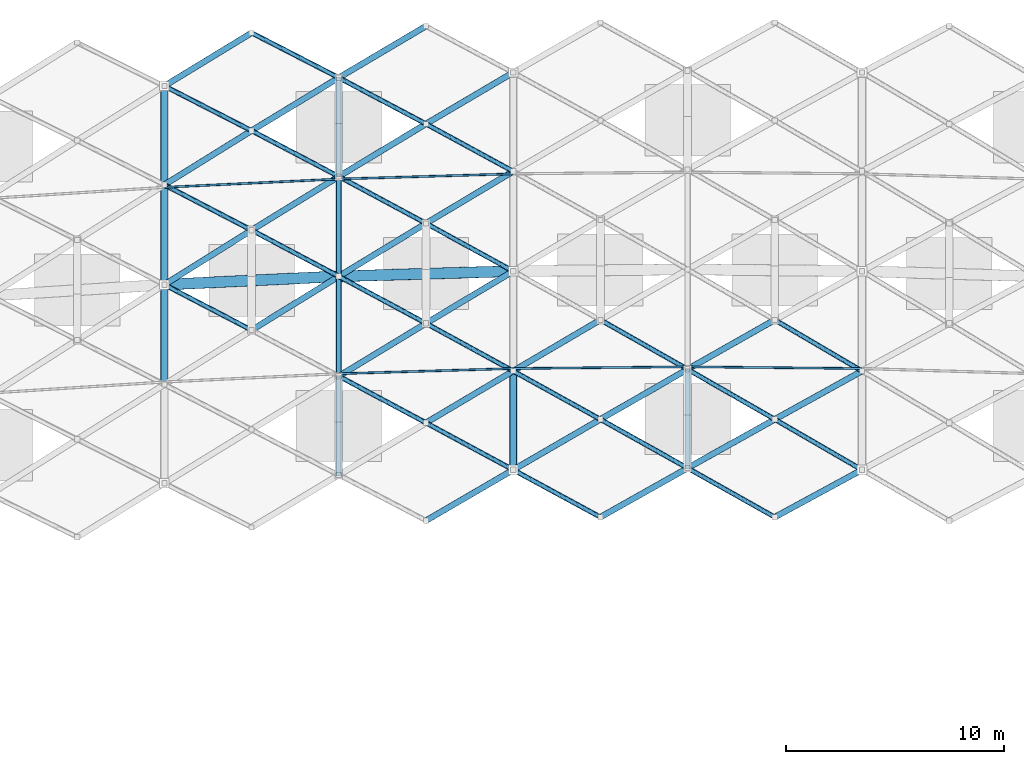
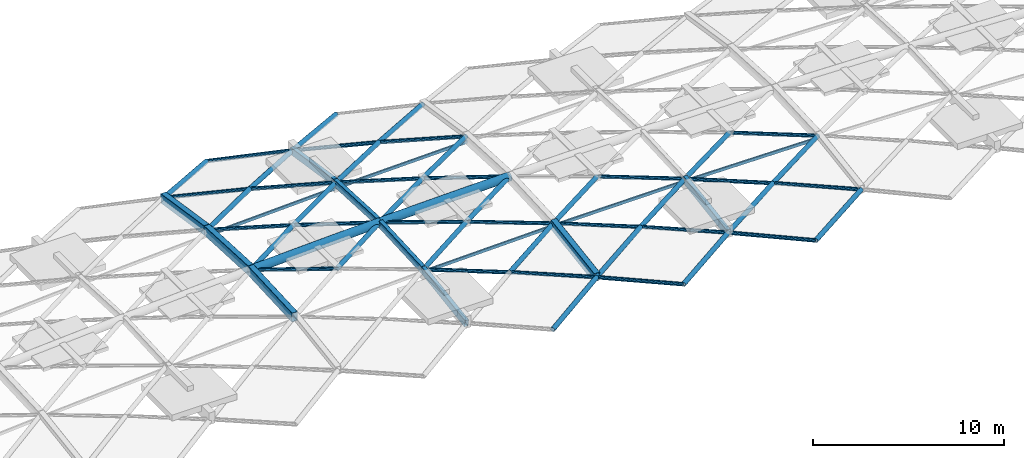
# One storey, part 4 of 27: 52 members, 9 beams.
"""IFC4 building model written with IfcOpenShell, lengths in metres."""

from ifc_helpers import new_model, si_unit, direction, frame, origin, origin_2d, place, context, subcontext, project, spatial, hollow_rectangle, hollow_circle, extrude, material, material_profile, profile_set, type_object, element, save


model = new_model("IFC4")

# Units and contexts
model_context = context("Model", 3, precision=1e-05, world=origin(), true_north=direction((0.0, 1.0)))
body_context = subcontext(model_context, "Body", "Model", "MODEL_VIEW")
ifc_project = project(units=[si_unit("LENGTHUNIT", "METRE"), si_unit("AREAUNIT", "SQUARE_METRE"), si_unit("VOLUMEUNIT", "CUBIC_METRE"), si_unit("PLANEANGLEUNIT", "RADIAN"), si_unit("MASSUNIT", "GRAM", prefix="KILO")], contexts=[model_context])

# Site, building, storey
site_placement = place(None, origin())
site = spatial("IfcSite", under=ifc_project, at=site_placement, CompositionType="ELEMENT")
building_placement = place(site_placement, origin())
building = spatial("IfcBuilding", under=site, at=building_placement, Name="Kenh Van Central Station", CompositionType="ELEMENT")
storey_placement = place(building_placement, frame((0.0, 0.0, 19.199951171875)))
storey = spatial("IfcBuildingStorey", under=building, at=storey_placement, Name="L04", CompositionType="ELEMENT", Elevation=19.199951171875)

# Beams
ifc_material = material(Name="White fluoropolymer structural steel S355", Category="steel")
ifc_material_profile_1 = material_profile(ifc_material, hollow_rectangle(XDim=0.35009765625, YDim=0.60009765625, WallThickness=0.01611328125, InnerFilletRadius=0.01611328125, OuterFilletRadius=0.031982421875, at=origin_2d()), Name="RHS 600x350x16")
ifc_profile_set_1 = profile_set([ifc_material_profile_1], Name="White fluoropolymer structural steel S355")
beam_type_1 = type_object("IfcBeamType", Name="BM-VAULT-ARCH600", PredefinedType="BEAM", material=ifc_profile_set_1)
beam_1_placement = place(storey_placement, frame((64.0, 85.921630859375, 1.7744140625), z_axis=(0.0, 0.998789366283, 0.049191480968), x_axis=(-1.0, 0.0, 0.0)))
element("IfcBeam", 1, at=beam_1_placement, inside=storey, type_object=beam_type_1, Name="Vault transverse arch 054", PredefinedType="BEAM", context=body_context, shape_type="SweptSolid", body=[
    extrude(hollow_rectangle(XDim=0.35009765625, YDim=0.60009765625, WallThickness=0.01611328125, InnerFilletRadius=0.01611328125, OuterFilletRadius=0.031982421875, at=origin_2d()), origin(), (0.0, 0.0, 1.0), 4.5859375),
])
beam_2_placement = place(storey_placement, frame((64.0, 90.501953125, 2.0), z_axis=(0.0, 0.998789237449, -0.04919409677), x_axis=(-1.0, 0.0, 0.0)))
element("IfcBeam", 2, at=beam_2_placement, inside=storey, type_object=beam_type_1, Name="Vault transverse arch 055", PredefinedType="BEAM", context=body_context, shape_type="SweptSolid", body=[
    extrude(hollow_rectangle(XDim=0.35009765625, YDim=0.60009765625, WallThickness=0.01611328125, InnerFilletRadius=0.01611328125, OuterFilletRadius=0.031982421875, at=origin_2d()), origin(), (0.0, 0.0, 1.0), 4.585693359375),
])
for number, where, z_axis, x_axis, name in (
    (3, (64.0, 95.08203125, 1.7744140625), (0.0, 0.988526901782, -0.151044908728), (-1.0, 0.0, 0.0), "Vault transverse arch 056"),
    (4, (80.0, 82.0068359375, 1.081787109375), (0.0, 0.988525687015, 0.15105285867), (-1.0, 0.0, 0.0), "Vault transverse arch 075"),
):
    element("IfcBeam", number, at=place(storey_placement, frame(where, z_axis=z_axis, x_axis=x_axis)), inside=storey, type_object=beam_type_1, Name=name, PredefinedType="BEAM", context=body_context, shape_type="SweptSolid", body=[
        extrude(hollow_rectangle(XDim=0.35009765625, YDim=0.60009765625, WallThickness=0.01611328125, InnerFilletRadius=0.01611328125, OuterFilletRadius=0.031982421875, at=origin_2d()), origin(), (0.0, 0.0, 1.0), 4.58544921875),
    ])
ifc_material_profile_2 = material_profile(ifc_material, hollow_rectangle(XDim=0.25, YDim=0.449951171875, WallThickness=0.012451171875, InnerFilletRadius=0.012451171875, OuterFilletRadius=0.02490234375, at=origin_2d()), Name="RHS 450x250x12.5")
ifc_profile_set_2 = profile_set([ifc_material_profile_2], Name="White fluoropolymer structural steel S355")
beam_type_2 = type_object("IfcBeamType", Name="BM-VAULT-SUB450", PredefinedType="BEAM", material=ifc_profile_set_2)
beam_3_placement = place(storey_placement, frame((72.0, 81.77001953125, 1.081787109375), z_axis=(0.0, 0.988526901782, 0.151044908728), x_axis=(-1.0, 0.0, 0.0)))
element("IfcBeam", 5, at=beam_3_placement, inside=storey, type_object=beam_type_2, Name="Vault transverse arch 064", PredefinedType="BEAM", context=body_context, shape_type="SweptSolid", body=[
    extrude(hollow_rectangle(XDim=0.25, YDim=0.449951171875, WallThickness=0.012451171875, InnerFilletRadius=0.012451171875, OuterFilletRadius=0.02490234375, at=origin_2d()), origin(), (0.0, 0.0, 1.0), 4.58544921875),
])
beam_4_placement = place(storey_placement, frame((72.0, 86.302978515625, 1.7744140625), z_axis=(0.0, 0.998789237449, 0.04919409677), x_axis=(-1.0, 0.0, 0.0)))
element("IfcBeam", 6, at=beam_4_placement, inside=storey, type_object=beam_type_2, Name="Vault transverse arch 065", PredefinedType="BEAM", context=body_context, shape_type="SweptSolid", body=[
    extrude(hollow_rectangle(XDim=0.25, YDim=0.449951171875, WallThickness=0.012451171875, InnerFilletRadius=0.012451171875, OuterFilletRadius=0.02490234375, at=origin_2d()), origin(), (0.0, 0.0, 1.0), 4.585693359375),
])
beam_5_placement = place(storey_placement, frame((72.0, 90.883056640625, 2.0), z_axis=(0.0, 0.998789366283, -0.049191480968), x_axis=(-1.0, 0.0, 0.0)))
element("IfcBeam", 7, at=beam_5_placement, inside=storey, type_object=beam_type_2, Name="Vault transverse arch 066", PredefinedType="BEAM", context=body_context, shape_type="SweptSolid", body=[
    extrude(hollow_rectangle(XDim=0.25, YDim=0.449951171875, WallThickness=0.012451171875, InnerFilletRadius=0.012451171875, OuterFilletRadius=0.02490234375, at=origin_2d()), origin(), (0.0, 0.0, 1.0), 4.5859375),
])
for number, where, z_axis, x_axis, name in (
    (8, (72.0, 95.46337890625, 1.7744140625), (0.0, 0.988525687015, -0.15105285867), (-1.0, 0.0, 0.0), "Vault transverse arch 067"),
    (9, (88.0, 82.0869140625, 1.081787109375), (0.0, 0.988526901782, 0.151044908728), (-1.0, 0.0, 0.0), "Vault transverse arch 086"),
):
    element("IfcBeam", number, at=place(storey_placement, frame(where, z_axis=z_axis, x_axis=x_axis)), inside=storey, type_object=beam_type_2, Name=name, PredefinedType="BEAM", context=body_context, shape_type="SweptSolid", body=[
        extrude(hollow_rectangle(XDim=0.25, YDim=0.449951171875, WallThickness=0.012451171875, InnerFilletRadius=0.012451171875, OuterFilletRadius=0.02490234375, at=origin_2d()), origin(), (0.0, 0.0, 1.0), 4.58544921875),
    ])

# Members
ifc_material_profile_3 = material_profile(ifc_material, hollow_rectangle(XDim=0.10009765625, YDim=0.199951171875, WallThickness=0.008056640625, InnerFilletRadius=0.008056640625, OuterFilletRadius=0.01611328125, at=origin_2d()), Name="RHS 200x100x8")
ifc_profile_set_3 = profile_set([ifc_material_profile_3], Name="White fluoropolymer structural steel S355")
member_type_1 = type_object("IfcMemberType", Name="MEM-PUR-RHS200", PredefinedType="PURLIN", material=ifc_profile_set_3)
member_1_placement = place(storey_placement, frame((72.0, 86.417724609375, 1.51904296875), z_axis=(0.999562147036, 0.029589089436, 0.0), x_axis=(-0.029589089436, 0.999562147036, 0.0)))
element("IfcMember", 10, at=member_1_placement, inside=storey, type_object=member_type_1, Name="Vault longitudinal purlin 020", PredefinedType="PURLIN", context=body_context, shape_type="SweptSolid", body=[
    extrude(hollow_rectangle(XDim=0.10009765625, YDim=0.199951171875, WallThickness=0.008056640625, InnerFilletRadius=0.008056640625, OuterFilletRadius=0.01611328125, at=origin_2d()), origin(), (0.0, 0.0, 1.0), 8.00341796875),
])
for number, where, z_axis, x_axis, name in (
    (11, (80.0, 86.654541015625, 1.51904296875), (0.99994990606, 0.010009264196, 0.0), (-0.010009264196, 0.99994990606, 0.0), "Vault longitudinal purlin 021"),
    (12, (88.0, 86.734619140625, 1.51904296875), (0.99994990606, -0.010009264196, 0.0), (0.010009264196, 0.99994990606, 0.0), "Vault longitudinal purlin 022"),
):
    element("IfcMember", number, at=place(storey_placement, frame(where, z_axis=z_axis, x_axis=x_axis)), inside=storey, type_object=member_type_1, Name=name, PredefinedType="PURLIN", context=body_context, shape_type="SweptSolid", body=[
        extrude(hollow_rectangle(XDim=0.10009765625, YDim=0.199951171875, WallThickness=0.008056640625, InnerFilletRadius=0.008056640625, OuterFilletRadius=0.01611328125, at=origin_2d()), origin(), (0.0, 0.0, 1.0), 8.00048828125),
    ])
member_2_placement = place(storey_placement, frame((64.0, 94.96728515625, 1.51904296875), z_axis=(0.998867240988, 0.047583977148, 0.0), x_axis=(-0.047583977148, 0.998867240988, 0.0)))
element("IfcMember", 13, at=member_2_placement, inside=storey, type_object=member_type_1, Name="Vault longitudinal purlin 033", PredefinedType="PURLIN", context=body_context, shape_type="SweptSolid", body=[
    extrude(hollow_rectangle(XDim=0.10009765625, YDim=0.199951171875, WallThickness=0.008056640625, InnerFilletRadius=0.008056640625, OuterFilletRadius=0.01611328125, at=origin_2d()), origin(), (0.0, 0.0, 1.0), 8.009033203125),
])
member_3_placement = place(storey_placement, frame((72.0, 95.348388671875, 1.51904296875), z_axis=(0.999562147036, 0.029589089436, 0.0), x_axis=(-0.029589089436, 0.999562147036, 0.0)))
element("IfcMember", 14, at=member_3_placement, inside=storey, type_object=member_type_1, Name="Vault longitudinal purlin 034", PredefinedType="PURLIN", context=body_context, shape_type="SweptSolid", body=[
    extrude(hollow_rectangle(XDim=0.10009765625, YDim=0.199951171875, WallThickness=0.008056640625, InnerFilletRadius=0.008056640625, OuterFilletRadius=0.01611328125, at=origin_2d()), origin(), (0.0, 0.0, 1.0), 8.00341796875),
])
ifc_material_profile_4 = material_profile(ifc_material, hollow_circle(Radius=0.109619140625, WallThickness=0.008056640625, at=origin_2d()), Name="CHS 219.1x8")
ifc_profile_set_4 = profile_set([ifc_material_profile_4], Name="White fluoropolymer structural steel S355")
member_type_2 = type_object("IfcMemberType", Name="MEM-VAULT-BRC219", PredefinedType="BRACE", material=ifc_profile_set_4)
member_4_placement = place(storey_placement, frame((64.0, 90.501953125, 2.0), z_axis=(0.886653148623, -0.462267529025, -0.012446913097), x_axis=(0.462303341734, 0.886721839261, 0.0)))
element("IfcMember", 15, at=member_4_placement, inside=storey, type_object=member_type_2, Name="Vault diamond grid member 0203", PredefinedType="BRACE", context=body_context, shape_type="SweptSolid", body=[
    extrude(hollow_circle(Radius=0.109619140625, WallThickness=0.008056640625, at=origin_2d()), origin(), (0.0, 0.0, 1.0), 4.51123046875),
])
member_5_placement = place(storey_placement, frame((64.0, 95.08203125, 1.7744140625), z_axis=(0.886628096745, -0.460955696294, 0.037556146188), x_axis=(0.461281121319, 0.887254037531, 0.0)))
element("IfcMember", 16, at=member_5_placement, inside=storey, type_object=member_type_2, Name="Vault diamond grid member 0205", PredefinedType="BRACE", context=body_context, shape_type="SweptSolid", body=[
    extrude(hollow_circle(Radius=0.109619140625, WallThickness=0.008056640625, at=origin_2d()), origin(), (0.0, 0.0, 1.0), 4.511474609375),
])
member_6_placement = place(storey_placement, frame((64.0, 99.614990234375, 1.081787109375), z_axis=(0.886342247308, -0.454153025278, 0.090235526642), x_axis=(0.456013352948, 0.889972933259, 0.0)))
element("IfcMember", 17, at=member_6_placement, inside=storey, type_object=member_type_2, Name="Vault diamond grid member 0207", PredefinedType="BRACE", context=body_context, shape_type="SweptSolid", body=[
    extrude(hollow_circle(Radius=0.109619140625, WallThickness=0.008056640625, at=origin_2d()), origin(), (0.0, 0.0, 1.0), 4.512939453125),
])
member_7_placement = place(storey_placement, frame((68.0, 93.00244140625, 1.94384765625), z_axis=(0.883561154732, -0.468151512709, 0.012403507421), x_axis=(0.468187528717, 0.88362912919, 0.0)))
element("IfcMember", 18, at=member_7_placement, inside=storey, type_object=member_type_2, Name="Vault diamond grid member 0226", PredefinedType="BRACE", context=body_context, shape_type="SweptSolid", body=[
    extrude(hollow_circle(Radius=0.109619140625, WallThickness=0.008056640625, at=origin_2d()), origin(), (0.0, 0.0, 1.0), 4.527099609375),
])
member_8_placement = place(storey_placement, frame((68.0, 97.5654296875, 1.489013671875), z_axis=(0.883450681525, -0.464264548824, 0.063034292401), x_axis=(0.465189642788, 0.88521104616, 0.0)))
element("IfcMember", 19, at=member_8_placement, inside=storey, type_object=member_type_2, Name="Vault diamond grid member 0228", PredefinedType="BRACE", context=body_context, shape_type="SweptSolid", body=[
    extrude(hollow_circle(Radius=0.109619140625, WallThickness=0.008056640625, at=origin_2d()), origin(), (0.0, 0.0, 1.0), 4.527587890625),
])
member_9_placement = place(storey_placement, frame((68.0, 102.052490234375, 0.545654296875), z_axis=(0.883103238671, -0.454002598836, 0.118365155769), x_axis=(0.457216770803, 0.889355285865, 0.0)))
element("IfcMember", 20, at=member_9_placement, inside=storey, type_object=member_type_2, Name="Vault diamond grid member 0230", PredefinedType="BRACE", context=body_context, shape_type="SweptSolid", body=[
    extrude(hollow_circle(Radius=0.109619140625, WallThickness=0.008056640625, at=origin_2d()), origin(), (0.0, 0.0, 1.0), 4.529541015625),
])
member_10_placement = place(storey_placement, frame((72.0, 86.302978515625, 1.7744140625), z_axis=(0.880145497695, -0.470531885639, -0.062798467212), x_axis=(0.471462444837, 0.881886139537, 0.0)))
element("IfcMember", 21, at=member_10_placement, inside=storey, type_object=member_type_2, Name="Vault diamond grid member 0245", PredefinedType="BRACE", context=body_context, shape_type="SweptSolid", body=[
    extrude(hollow_circle(Radius=0.109619140625, WallThickness=0.008056640625, at=origin_2d()), origin(), (0.0, 0.0, 1.0), 4.544677734375),
])
member_11_placement = place(storey_placement, frame((72.0, 90.883056640625, 2.0), z_axis=(0.880250290221, -0.47434874343, -0.012357029221), x_axis=(0.474384963197, 0.880317503343, 0.0)))
element("IfcMember", 22, at=member_11_placement, inside=storey, type_object=member_type_2, Name="Vault diamond grid member 0247", PredefinedType="BRACE", context=body_context, shape_type="SweptSolid", body=[
    extrude(hollow_circle(Radius=0.109619140625, WallThickness=0.008056640625, at=origin_2d()), origin(), (0.0, 0.0, 1.0), 4.544189453125),
])
member_12_placement = place(storey_placement, frame((72.0, 95.46337890625, 1.7744140625), z_axis=(0.880198532635, -0.473138945124, 0.037283800149), x_axis=(0.473468139276, 0.880810945147, 0.0)))
element("IfcMember", 23, at=member_12_placement, inside=storey, type_object=member_type_2, Name="Vault diamond grid member 0249", PredefinedType="BRACE", context=body_context, shape_type="SweptSolid", body=[
    extrude(hollow_circle(Radius=0.109619140625, WallThickness=0.008056640625, at=origin_2d()), origin(), (0.0, 0.0, 1.0), 4.54443359375),
])
member_13_placement = place(storey_placement, frame((72.0, 99.99609375, 1.081787109375), z_axis=(0.880031132501, -0.46638856955, 0.089593013245), x_axis=(0.468271743286, 0.883584503282, 0.0)))
element("IfcMember", 24, at=member_13_placement, inside=storey, type_object=member_type_2, Name="Vault diamond grid member 0251", PredefinedType="BRACE", context=body_context, shape_type="SweptSolid", body=[
    extrude(hollow_circle(Radius=0.109619140625, WallThickness=0.008056640625, at=origin_2d()), origin(), (0.0, 0.0, 1.0), 4.54541015625),
])
member_14_placement = place(storey_placement, frame((76.0, 84.16455078125, 1.489013671875), z_axis=(0.876603676621, -0.472865191283, -0.089244075476), x_axis=(0.474759583336, 0.880115525389, 0.0)))
element("IfcMember", 25, at=member_14_placement, inside=storey, type_object=member_type_2, Name="Vault diamond grid member 0266", PredefinedType="BRACE", context=body_context, shape_type="SweptSolid", body=[
    extrude(hollow_circle(Radius=0.109619140625, WallThickness=0.008056640625, at=origin_2d()), origin(), (0.0, 0.0, 1.0), 4.56298828125),
])
member_15_placement = place(storey_placement, frame((76.0, 88.7275390625, 1.94384765625), z_axis=(0.876720874068, -0.479563749597, -0.037136492102), x_axis=(0.479894779784, 0.877326051326, 0.0)))
element("IfcMember", 26, at=member_15_placement, inside=storey, type_object=member_type_2, Name="Vault diamond grid member 0268", PredefinedType="BRACE", context=body_context, shape_type="SweptSolid", body=[
    extrude(hollow_circle(Radius=0.109619140625, WallThickness=0.008056640625, at=origin_2d()), origin(), (0.0, 0.0, 1.0), 4.5625),
])
member_16_placement = place(storey_placement, frame((76.0, 93.313232421875, 1.94384765625), z_axis=(0.876763458697, -0.480764337947, 0.01230808078), x_axis=(0.480800757304, 0.876829876188, 0.0)))
element("IfcMember", 27, at=member_16_placement, inside=storey, type_object=member_type_2, Name="Vault diamond grid member 0270", PredefinedType="BRACE", context=body_context, shape_type="SweptSolid", body=[
    extrude(hollow_circle(Radius=0.109619140625, WallThickness=0.008056640625, at=origin_2d()), origin(), (0.0, 0.0, 1.0), 4.562255859375),
])
member_17_placement = place(storey_placement, frame((76.0, 97.876220703125, 1.489013671875), z_axis=(0.876687139909, -0.476976877756, 0.062551713046), x_axis=(0.477912762765, 0.878407303696, 0.0)))
element("IfcMember", 28, at=member_17_placement, inside=storey, type_object=member_type_2, Name="Vault diamond grid member 0272", PredefinedType="BRACE", context=body_context, shape_type="SweptSolid", body=[
    extrude(hollow_circle(Radius=0.109619140625, WallThickness=0.008056640625, at=origin_2d()), origin(), (0.0, 0.0, 1.0), 4.562744140625),
])
member_18_placement = place(storey_placement, frame((80.0, 82.0068359375, 1.081787109375), z_axis=(0.872954717245, -0.473560884209, -0.117004916935), x_axis=(0.476836111514, 0.878992219964, 0.0)))
element("IfcMember", 29, at=member_18_placement, inside=storey, type_object=member_type_2, Name="Vault diamond grid member 0287", PredefinedType="BRACE", context=body_context, shape_type="SweptSolid", body=[
    extrude(hollow_circle(Radius=0.109619140625, WallThickness=0.008056640625, at=origin_2d()), origin(), (0.0, 0.0, 1.0), 4.58203125),
])
member_19_placement = place(storey_placement, frame((80.0, 86.53955078125, 1.7744140625), z_axis=(0.873074654323, -0.483590850096, -0.062293961847), x_axis=(0.484531886036, 0.87477360009, 0.0)))
element("IfcMember", 30, at=member_19_placement, inside=storey, type_object=member_type_2, Name="Vault diamond grid member 0289", PredefinedType="BRACE", context=body_context, shape_type="SweptSolid", body=[
    extrude(hollow_circle(Radius=0.109619140625, WallThickness=0.008056640625, at=origin_2d()), origin(), (0.0, 0.0, 1.0), 4.58154296875),
])
member_20_placement = place(storey_placement, frame((84.0, 84.323974609375, 1.489013671875), z_axis=(0.869354203496, -0.486199497475, -0.088506030971), x_axis=(0.488115036138, 0.872779302857, 0.0)))
element("IfcMember", 31, at=member_20_placement, inside=storey, type_object=member_type_2, Name="Vault diamond grid member 0310", PredefinedType="BRACE", context=body_context, shape_type="SweptSolid", body=[
    extrude(hollow_circle(Radius=0.109619140625, WallThickness=0.008056640625, at=origin_2d()), origin(), (0.0, 0.0, 1.0), 4.60107421875),
])
member_21_placement = place(storey_placement, frame((84.0, 88.886962890625, 1.94384765625), z_axis=(0.869392586509, -0.492747775777, -0.036826077578), x_axis=(0.493082238413, 0.869982704519, 0.0)))
element("IfcMember", 32, at=member_21_placement, inside=storey, type_object=member_type_2, Name="Vault diamond grid member 0312", PredefinedType="BRACE", context=body_context, shape_type="SweptSolid", body=[
    extrude(hollow_circle(Radius=0.109619140625, WallThickness=0.008056640625, at=origin_2d()), origin(), (0.0, 0.0, 1.0), 4.600830078125),
])
member_22_placement = place(storey_placement, frame((88.0, 82.0869140625, 1.081787109375), z_axis=(0.865688559712, -0.486949814838, -0.116031010567), x_axis=(0.490261239633, 0.871575537125, 0.0)))
element("IfcMember", 33, at=member_22_placement, inside=storey, type_object=member_type_2, Name="Vault diamond grid member 0331", PredefinedType="BRACE", context=body_context, shape_type="SweptSolid", body=[
    extrude(hollow_circle(Radius=0.109619140625, WallThickness=0.008056640625, at=origin_2d()), origin(), (0.0, 0.0, 1.0), 4.62060546875),
])
member_23_placement = place(storey_placement, frame((88.0, 86.619873046875, 1.7744140625), z_axis=(0.865634542693, -0.496852248504, -0.061763109156), x_axis=(0.497802635015, 0.867290341565, 0.0)))
element("IfcMember", 34, at=member_23_placement, inside=storey, type_object=member_type_2, Name="Vault diamond grid member 0333", PredefinedType="BRACE", context=body_context, shape_type="SweptSolid", body=[
    extrude(hollow_circle(Radius=0.109619140625, WallThickness=0.008056640625, at=origin_2d()), origin(), (0.0, 0.0, 1.0), 4.620849609375),
])
member_24_placement = place(storey_placement, frame((92.0, 84.323974609375, 1.489013671875), z_axis=(0.861961573365, -0.499321123829, -0.087753412132), x_axis=(0.501254850692, 0.865299702217, 0.0)))
element("IfcMember", 35, at=member_24_placement, inside=storey, type_object=member_type_2, Name="Vault diamond grid member 0354", PredefinedType="BRACE", context=body_context, shape_type="SweptSolid", body=[
    extrude(hollow_circle(Radius=0.109619140625, WallThickness=0.008056640625, at=origin_2d()), origin(), (0.0, 0.0, 1.0), 4.640625),
])
member_25_placement = place(storey_placement, frame((92.0, 88.886962890625, 1.94384765625), z_axis=(0.861879806469, -0.505796773633, -0.036507848248), x_axis=(0.50613417973, 0.862454747862, 0.0)))
element("IfcMember", 36, at=member_25_placement, inside=storey, type_object=member_type_2, Name="Vault diamond grid member 0356", PredefinedType="BRACE", context=body_context, shape_type="SweptSolid", body=[
    extrude(hollow_circle(Radius=0.109619140625, WallThickness=0.008056640625, at=origin_2d()), origin(), (0.0, 0.0, 1.0), 4.64111328125),
])
ifc_material_profile_5 = material_profile(ifc_material, hollow_circle(Radius=0.136474609375, WallThickness=0.010009765625, at=origin_2d()), Name="CHS 273x10")
ifc_profile_set_5 = profile_set([ifc_material_profile_5], Name="White fluoropolymer structural steel S355")
member_type_3 = type_object("IfcMemberType", Name="MEM-VAULT-CHD273", PredefinedType="CHORD", material=ifc_profile_set_5)
member_26_placement = place(storey_placement, frame((64.0, 90.501953125, 2.0), z_axis=(0.847891710132, 0.530035821239, -0.011902776693), x_axis=(-0.530073371931, 0.847951779507, 0.0)))
element("IfcMember", 37, at=member_26_placement, inside=storey, type_object=member_type_3, Name="Vault diamond grid member 0202", PredefinedType="CHORD", context=body_context, shape_type="SweptSolid", body=[
    extrude(hollow_circle(Radius=0.136474609375, WallThickness=0.010009765625, at=origin_2d()), origin(), (0.0, 0.0, 1.0), 4.717529296875),
])
member_27_placement = place(storey_placement, frame((64.0, 95.08203125, 1.7744140625), z_axis=(0.848022674386, 0.526494546134, -0.060506500632), x_axis=(-0.527460958404, 0.849579270792, 0.0)))
element("IfcMember", 38, at=member_27_placement, inside=storey, type_object=member_type_3, Name="Vault diamond grid member 0204", PredefinedType="CHORD", context=body_context, shape_type="SweptSolid", body=[
    extrude(hollow_circle(Radius=0.136474609375, WallThickness=0.010009765625, at=origin_2d()), origin(), (0.0, 0.0, 1.0), 4.716796875),
])
member_28_placement = place(storey_placement, frame((64.0, 99.614990234375, 1.081787109375), z_axis=(0.848401731199, 0.51699480495, -0.113714001569), x_axis=(-0.520370172675, 0.853940796185, 0.0)))
element("IfcMember", 39, at=member_28_placement, inside=storey, type_object=member_type_3, Name="Vault diamond grid member 0206", PredefinedType="CHORD", context=body_context, shape_type="SweptSolid", body=[
    extrude(hollow_circle(Radius=0.136474609375, WallThickness=0.010009765625, at=origin_2d()), origin(), (0.0, 0.0, 1.0), 4.71484375),
])
member_29_placement = place(storey_placement, frame((68.0, 88.41650390625, 1.94384765625), z_axis=(0.851120942783, 0.524833672176, 0.011948108938), x_axis=(-0.524871138108, 0.851181701155, 0.0)))
element("IfcMember", 40, at=member_29_placement, inside=storey, type_object=member_type_3, Name="Vault diamond grid member 0223", PredefinedType="CHORD", context=body_context, shape_type="SweptSolid", body=[
    extrude(hollow_circle(Radius=0.136474609375, WallThickness=0.010009765625, at=origin_2d()), origin(), (0.0, 0.0, 1.0), 4.69970703125),
])
member_30_placement = place(storey_placement, frame((68.0, 93.00244140625, 1.94384765625), z_axis=(0.851161683911, 0.523663926625, -0.036053845742), x_axis=(-0.524004608874, 0.851715427757, 0.0)))
element("IfcMember", 41, at=member_30_placement, inside=storey, type_object=member_type_3, Name="Vault diamond grid member 0225", PredefinedType="CHORD", context=body_context, shape_type="SweptSolid", body=[
    extrude(hollow_circle(Radius=0.136474609375, WallThickness=0.010009765625, at=origin_2d()), origin(), (0.0, 0.0, 1.0), 4.699462890625),
])
member_31_placement = place(storey_placement, frame((68.0, 97.5654296875, 1.489013671875), z_axis=(0.851372961313, 0.517350415212, -0.08667542111), x_axis=(-0.519304764627, 0.854589118486, 0.0)))
element("IfcMember", 42, at=member_31_placement, inside=storey, type_object=member_type_3, Name="Vault diamond grid member 0227", PredefinedType="CHORD", context=body_context, shape_type="SweptSolid", body=[
    extrude(hollow_circle(Radius=0.136474609375, WallThickness=0.010009765625, at=origin_2d()), origin(), (0.0, 0.0, 1.0), 4.6982421875),
])
member_32_placement = place(storey_placement, frame((72.0, 86.302978515625, 1.7744140625), z_axis=(0.854607183531, 0.518011715066, 0.036199791588), x_axis=(-0.518351456735, 0.855167683733, 0.0)))
element("IfcMember", 43, at=member_32_placement, inside=storey, type_object=member_type_3, Name="Vault diamond grid member 0244", PredefinedType="CHORD", context=body_context, shape_type="SweptSolid", body=[
    extrude(hollow_circle(Radius=0.136474609375, WallThickness=0.010009765625, at=origin_2d()), origin(), (0.0, 0.0, 1.0), 4.680419921875),
])
member_33_placement = place(storey_placement, frame((72.0, 90.883056640625, 2.0), z_axis=(0.854573913069, 0.519191206707, -0.011996582032), x_axis=(-0.519228571215, 0.854635413983, 0.0)))
element("IfcMember", 44, at=member_33_placement, inside=storey, type_object=member_type_3, Name="Vault diamond grid member 0246", PredefinedType="CHORD", context=body_context, shape_type="SweptSolid", body=[
    extrude(hollow_circle(Radius=0.136474609375, WallThickness=0.010009765625, at=origin_2d()), origin(), (0.0, 0.0, 1.0), 4.6806640625),
])
member_34_placement = place(storey_placement, frame((72.0, 95.46337890625, 1.7744140625), z_axis=(0.854684096313, 0.515554377677, -0.060981793737), x_axis=(-0.516515676092, 0.856277733187, 0.0)))
element("IfcMember", 45, at=member_34_placement, inside=storey, type_object=member_type_3, Name="Vault diamond grid member 0248", PredefinedType="CHORD", context=body_context, shape_type="SweptSolid", body=[
    extrude(hollow_circle(Radius=0.136474609375, WallThickness=0.010009765625, at=origin_2d()), origin(), (0.0, 0.0, 1.0), 4.68017578125),
])
member_35_placement = place(storey_placement, frame((72.0, 99.99609375, 1.081787109375), z_axis=(0.854923079647, 0.5059408069, -0.114588078791), x_axis=(-0.509295489217, 0.860591717752, 0.0)))
element("IfcMember", 46, at=member_35_placement, inside=storey, type_object=member_type_3, Name="Vault diamond grid member 0250", PredefinedType="CHORD", context=body_context, shape_type="SweptSolid", body=[
    extrude(hollow_circle(Radius=0.136474609375, WallThickness=0.010009765625, at=origin_2d()), origin(), (0.0, 0.0, 1.0), 4.6787109375),
])
member_36_placement = place(storey_placement, frame((76.0, 79.677490234375, 0.545654296875), z_axis=(0.858414760929, 0.499886183717, 0.115056080017), x_axis=(-0.503228122803, 0.864153606959, 0.0)))
element("IfcMember", 47, at=member_36_placement, inside=storey, type_object=member_type_3, Name="Vault diamond grid member 0263", PredefinedType="CHORD", context=body_context, shape_type="SweptSolid", body=[
    extrude(hollow_circle(Radius=0.136474609375, WallThickness=0.010009765625, at=origin_2d()), origin(), (0.0, 0.0, 1.0), 4.65966796875),
])
member_37_placement = place(storey_placement, frame((76.0, 84.16455078125, 1.489013671875), z_axis=(0.858241089359, 0.509580646807, 0.061235585538), x_axis=(-0.510538754155, 0.859854743841, 0.0)))
element("IfcMember", 48, at=member_37_placement, inside=storey, type_object=member_type_3, Name="Vault diamond grid member 0265", PredefinedType="CHORD", context=body_context, shape_type="SweptSolid", body=[
    extrude(hollow_circle(Radius=0.136474609375, WallThickness=0.010009765625, at=origin_2d()), origin(), (0.0, 0.0, 1.0), 4.66064453125),
])
for number, where, z_axis, x_axis, name in (
    (49, (76.0, 88.7275390625, 1.94384765625), (0.858155432562, 0.513248601299, 0.01204685971), (-0.513285848424, 0.858217710029, 0.0), "Vault diamond grid member 0267"),
    (50, (76.0, 93.313232421875, 1.94384765625), (0.858180729235, 0.512059009338, -0.03635116126), (-0.512397664162, 0.858748294765, 0.0), "Vault diamond grid member 0269"),
):
    element("IfcMember", number, at=place(storey_placement, frame(where, z_axis=z_axis, x_axis=x_axis)), inside=storey, type_object=member_type_3, Name=name, PredefinedType="CHORD", context=body_context, shape_type="SweptSolid", body=[
        extrude(hollow_circle(Radius=0.136474609375, WallThickness=0.010009765625, at=origin_2d()), origin(), (0.0, 0.0, 1.0), 4.6611328125),
    ])
member_38_placement = place(storey_placement, frame((76.0, 97.876220703125, 1.489013671875), z_axis=(0.858285733926, 0.505678234228, -0.087379187267), x_axis=(-0.507619817094, 0.861581175104, 0.0)))
element("IfcMember", 51, at=member_38_placement, inside=storey, type_object=member_type_3, Name="Vault diamond grid member 0271", PredefinedType="CHORD", context=body_context, shape_type="SweptSolid", body=[
    extrude(hollow_circle(Radius=0.136474609375, WallThickness=0.010009765625, at=origin_2d()), origin(), (0.0, 0.0, 1.0), 4.660400390625),
])
member_39_placement = place(storey_placement, frame((80.0, 82.0068359375, 1.081787109375), z_axis=(0.861961573365, 0.499321123829, 0.087753412132), x_axis=(-0.501254850692, 0.865299702217, 0.0)))
element("IfcMember", 52, at=member_39_placement, inside=storey, type_object=member_type_3, Name="Vault diamond grid member 0286", PredefinedType="CHORD", context=body_context, shape_type="SweptSolid", body=[
    extrude(hollow_circle(Radius=0.136474609375, WallThickness=0.010009765625, at=origin_2d()), origin(), (0.0, 0.0, 1.0), 4.640625),
])
member_40_placement = place(storey_placement, frame((80.0, 86.53955078125, 1.7744140625), z_axis=(0.861879806469, 0.505796773633, 0.036507848248), x_axis=(-0.50613417973, 0.862454747862, 0.0)))
element("IfcMember", 53, at=member_40_placement, inside=storey, type_object=member_type_3, Name="Vault diamond grid member 0288", PredefinedType="CHORD", context=body_context, shape_type="SweptSolid", body=[
    extrude(hollow_circle(Radius=0.136474609375, WallThickness=0.010009765625, at=origin_2d()), origin(), (0.0, 0.0, 1.0), 4.64111328125),
])
member_41_placement = place(storey_placement, frame((84.0, 79.8369140625, 0.545654296875), z_axis=(0.865688559712, 0.486949814838, 0.116031010567), x_axis=(-0.490261239633, 0.871575537125, 0.0)))
element("IfcMember", 54, at=member_41_placement, inside=storey, type_object=member_type_3, Name="Vault diamond grid member 0307", PredefinedType="CHORD", context=body_context, shape_type="SweptSolid", body=[
    extrude(hollow_circle(Radius=0.136474609375, WallThickness=0.010009765625, at=origin_2d()), origin(), (0.0, 0.0, 1.0), 4.62060546875),
])
member_42_placement = place(storey_placement, frame((84.0, 84.323974609375, 1.489013671875), z_axis=(0.865634542693, 0.496852248504, 0.061763109156), x_axis=(-0.497802635015, 0.867290341565, 0.0)))
element("IfcMember", 55, at=member_42_placement, inside=storey, type_object=member_type_3, Name="Vault diamond grid member 0309", PredefinedType="CHORD", context=body_context, shape_type="SweptSolid", body=[
    extrude(hollow_circle(Radius=0.136474609375, WallThickness=0.010009765625, at=origin_2d()), origin(), (0.0, 0.0, 1.0), 4.620849609375),
])
member_43_placement = place(storey_placement, frame((88.0, 82.0869140625, 1.081787109375), z_axis=(0.869354203496, 0.486199497475, 0.088506030971), x_axis=(-0.488115036138, 0.872779302857, 0.0)))
element("IfcMember", 56, at=member_43_placement, inside=storey, type_object=member_type_3, Name="Vault diamond grid member 0330", PredefinedType="CHORD", context=body_context, shape_type="SweptSolid", body=[
    extrude(hollow_circle(Radius=0.136474609375, WallThickness=0.010009765625, at=origin_2d()), origin(), (0.0, 0.0, 1.0), 4.60107421875),
])
member_44_placement = place(storey_placement, frame((88.0, 86.619873046875, 1.7744140625), z_axis=(0.869392586509, 0.492747775777, 0.036826077578), x_axis=(-0.493082238413, 0.869982704519, 0.0)))
element("IfcMember", 57, at=member_44_placement, inside=storey, type_object=member_type_3, Name="Vault diamond grid member 0332", PredefinedType="CHORD", context=body_context, shape_type="SweptSolid", body=[
    extrude(hollow_circle(Radius=0.136474609375, WallThickness=0.010009765625, at=origin_2d()), origin(), (0.0, 0.0, 1.0), 4.600830078125),
])
member_45_placement = place(storey_placement, frame((92.0, 79.8369140625, 0.545654296875), z_axis=(0.872954717245, 0.473560884209, 0.117004916935), x_axis=(-0.476836111514, 0.878992219964, 0.0)))
element("IfcMember", 58, at=member_45_placement, inside=storey, type_object=member_type_3, Name="Vault diamond grid member 0351", PredefinedType="CHORD", context=body_context, shape_type="SweptSolid", body=[
    extrude(hollow_circle(Radius=0.136474609375, WallThickness=0.010009765625, at=origin_2d()), origin(), (0.0, 0.0, 1.0), 4.58203125),
])
member_46_placement = place(storey_placement, frame((92.0, 84.323974609375, 1.489013671875), z_axis=(0.873074654323, 0.483590850096, 0.062293961847), x_axis=(-0.484531886036, 0.87477360009, 0.0)))
element("IfcMember", 59, at=member_46_placement, inside=storey, type_object=member_type_3, Name="Vault diamond grid member 0353", PredefinedType="CHORD", context=body_context, shape_type="SweptSolid", body=[
    extrude(hollow_circle(Radius=0.136474609375, WallThickness=0.010009765625, at=origin_2d()), origin(), (0.0, 0.0, 1.0), 4.58154296875),
])
ifc_material_profile_6 = material_profile(ifc_material, hollow_circle(Radius=0.25390625, WallThickness=0.01611328125, at=origin_2d()), Name="CHS 508x16")
ifc_profile_set_6 = profile_set([ifc_material_profile_6], Name="White fluoropolymer structural steel S355")
member_type_4 = type_object("IfcMemberType", Name="MEM-VAULT-CHD508", PredefinedType="CHORD", material=ifc_profile_set_6)
member_47_placement = place(storey_placement, frame((64.0, 90.501953125, 2.0), z_axis=(0.998867240988, 0.047583977148, 0.0), x_axis=(-0.047583977148, 0.998867240988, 0.0)))
element("IfcMember", 60, at=member_47_placement, inside=storey, type_object=member_type_4, Name="Vault longitudinal spine chord 05", PredefinedType="CHORD", context=body_context, shape_type="SweptSolid", body=[
    extrude(hollow_circle(Radius=0.25390625, WallThickness=0.01611328125, at=origin_2d()), origin(), (0.0, 0.0, 1.0), 8.009033203125),
])
member_48_placement = place(storey_placement, frame((72.0, 90.883056640625, 2.0), z_axis=(0.999562147036, 0.029589089436, 0.0), x_axis=(-0.029589089436, 0.999562147036, 0.0)))
element("IfcMember", 61, at=member_48_placement, inside=storey, type_object=member_type_4, Name="Vault longitudinal spine chord 06", PredefinedType="CHORD", context=body_context, shape_type="SweptSolid", body=[
    extrude(hollow_circle(Radius=0.25390625, WallThickness=0.01611328125, at=origin_2d()), origin(), (0.0, 0.0, 1.0), 8.00341796875),
])

save(model, "model.ifc")
